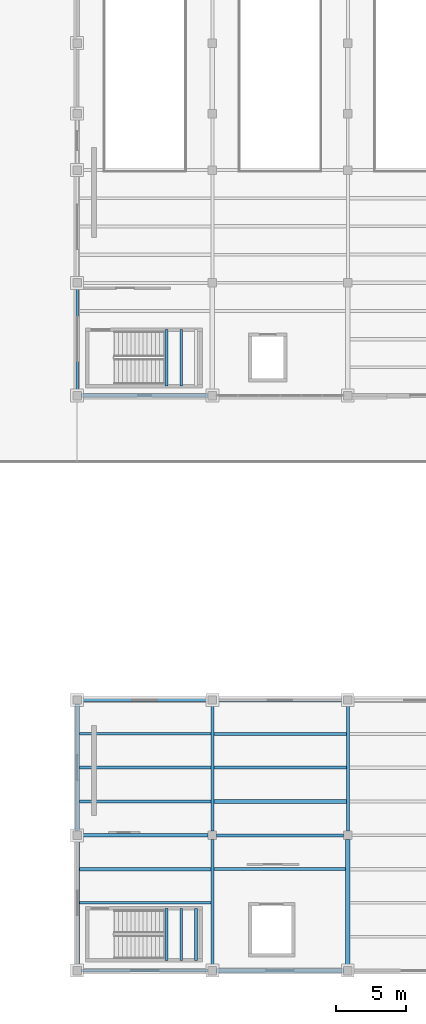
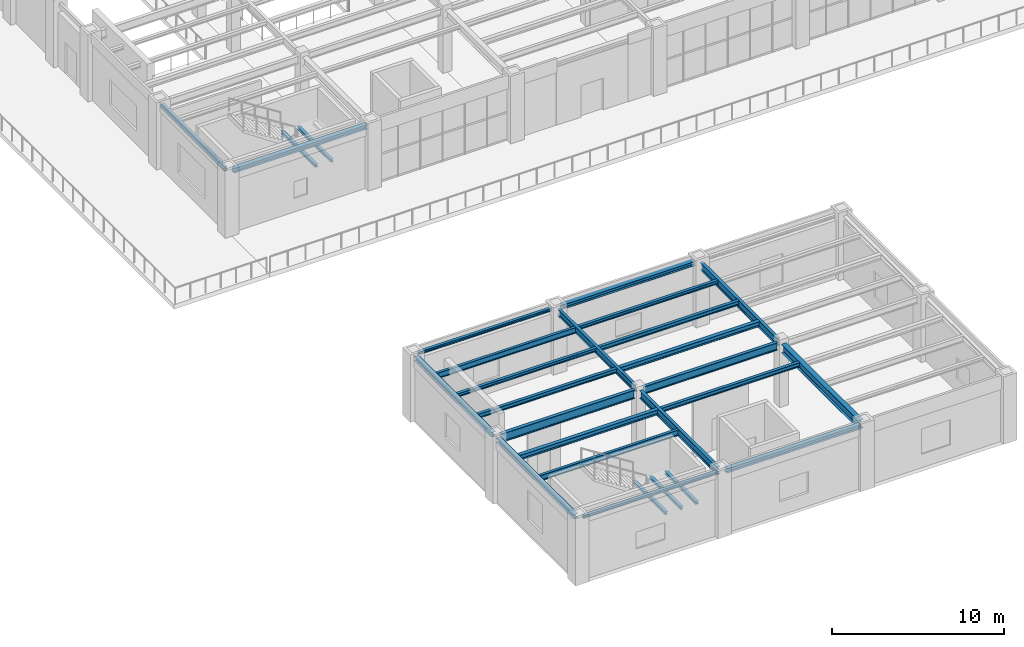
# One storey, part 15 of 83: 28 beams.
"""IFC4 building model written with IfcOpenShell, lengths in metres."""

from ifc_helpers import new_model, si_unit, direction, frame, origin, origin_2d, place, context, subcontext, project, spatial, hollow_rectangle, i_section, extrude, material, material_profile, profile_set, type_object, element, save


model = new_model("IFC4")

# Units and contexts
model_context = context("Model", 3, precision=1e-05, world=origin(), true_north=direction((0.0, 1.0)))
body_context = subcontext(model_context, "Body", "Model", "MODEL_VIEW")
ifc_project = project(units=[si_unit("LENGTHUNIT", "METRE"), si_unit("AREAUNIT", "SQUARE_METRE"), si_unit("VOLUMEUNIT", "CUBIC_METRE"), si_unit("PLANEANGLEUNIT", "RADIAN"), si_unit("MASSUNIT", "GRAM", prefix="KILO")], contexts=[model_context])

# Site, building, storey
site_placement = place(None, origin())
site = spatial("IfcSite", under=ifc_project, at=site_placement, CompositionType="ELEMENT")
building_placement = place(site_placement, origin())
building = spatial("IfcBuilding", under=site, at=building_placement, Name="Mavantir Sound Aquarium", CompositionType="ELEMENT")
storey_placement = place(building_placement, frame((0.0, 0.0, 10.5)))
storey = spatial("IfcBuildingStorey", under=building, at=storey_placement, Name="L02", CompositionType="ELEMENT", Elevation=10.5)

# Beams
ifc_material_1 = material(Name="Hollow Structural Steel ASTM A500 GrC", Category="steel")
ifc_material_profile_1 = material_profile(ifc_material_1, hollow_rectangle(XDim=0.199951171875, YDim=0.300048828125, WallThickness=0.012451171875, InnerFilletRadius=0.012451171875, OuterFilletRadius=0.02490234375, at=origin_2d()), Name="RHS 300X200X12.5")
ifc_profile_set_1 = profile_set([ifc_material_profile_1], Name="Hollow Structural Steel ASTM A500 GrC")
beam_type_1 = type_object("IfcBeamType", Name="BM-RHS300-E", PredefinedType="SPANDREL", material=ifc_profile_set_1)
beam_1_placement = place(storey_placement, frame((108.0, 41.10009765625, 4.3359375), z_axis=(0.0, 1.0, 0.0), x_axis=(-1.0, 0.0, 0.0)))
element("IfcBeam", 1, at=beam_1_placement, inside=storey, type_object=beam_type_1, Name="L02 primary girder SS-R30 1552", PredefinedType="SPANDREL", context=body_context, shape_type="SweptSolid", body=[
    extrude(hollow_rectangle(XDim=0.199951171875, YDim=0.300048828125, WallThickness=0.012451171875, InnerFilletRadius=0.012451171875, OuterFilletRadius=0.02490234375, at=origin_2d()), origin(), (0.0, 0.0, 1.0), 7.39990234375),
])
ifc_material_2 = material(Name="Structural Steel ASTM A992 Gr50", Category="steel")
ifc_material_profile_2 = material_profile(ifc_material_2, i_section(OverallWidth=0.202880859375, OverallDepth=0.202880859375, WebThickness=0.007080078125, FlangeThickness=0.010986328125, FilletRadius=0.010009765625, at=origin_2d()), Name="W200X46")
ifc_profile_set_2 = profile_set([ifc_material_profile_2], Name="Structural Steel ASTM A992 Gr50")
beam_type_2 = type_object("IfcBeamType", Name="BM-W200X46-E", PredefinedType="LINTEL", material=ifc_profile_set_2)
for number, where, z_axis, x_axis, name in (
    (2, (108.300048828125, 0.0, 4.41455078125), (1.0, 0.0, 0.0), (0.0, 1.0, 0.0), "L02 primary beam SL-20 1626"),
    (3, (108.300048828125, 19.199951171875, 4.41455078125), (1.0, 0.0, 0.0), (0.0, 1.0, 0.0), "L02 primary beam SL-20 1632"),
):
    element("IfcBeam", number, at=place(storey_placement, frame(where, z_axis=z_axis, x_axis=x_axis)), inside=storey, type_object=beam_type_2, Name=name, PredefinedType="LINTEL", context=body_context, shape_type="SweptSolid", body=[
        extrude(i_section(OverallWidth=0.202880859375, OverallDepth=0.202880859375, WebThickness=0.007080078125, FlangeThickness=0.010986328125, FilletRadius=0.010009765625, at=origin_2d()), origin(), (0.0, 0.0, 1.0), 9.0),
    ])
ifc_material_profile_3 = material_profile(ifc_material_2, i_section(OverallWidth=0.202880859375, OverallDepth=0.202880859375, WebThickness=0.007080078125, FlangeThickness=0.010986328125, FilletRadius=0.010009765625, at=origin_2d()), Name="W200X46")
ifc_profile_set_3 = profile_set([ifc_material_profile_3], Name="Structural Steel ASTM A992 Gr50")
beam_type_3 = type_object("IfcBeamType", Name="BM-W200X46-I", PredefinedType="LINTEL", material=ifc_profile_set_3)
for number, where, z_axis, x_axis, name in (
    (4, (114.35009765625, 41.47509765625, 2.095458984375), (0.0, 1.0, 0.0), (-1.0, 0.0, 0.0), "Stair ST4 landing support beam 64"),
    (5, (115.389892578125, 41.47509765625, 2.095458984375), (0.0, 1.0, 0.0), (-1.0, 0.0, 0.0), "Stair ST4 landing support beam 65"),
):
    element("IfcBeam", number, at=place(storey_placement, frame(where, z_axis=z_axis, x_axis=x_axis)), inside=storey, type_object=beam_type_3, Name=name, PredefinedType="LINTEL", context=body_context, shape_type="SweptSolid", body=[
        extrude(i_section(OverallWidth=0.202880859375, OverallDepth=0.202880859375, WebThickness=0.007080078125, FlangeThickness=0.010986328125, FilletRadius=0.010009765625, at=origin_2d()), origin(), (0.0, 0.0, 1.0), 4.0),
    ])
for number, where, z_axis, x_axis, name in (
    (6, (114.35009765625, 0.72509765625, 2.095458984375), (0.0, 1.0, 0.0), (-1.0, 0.0, 0.0), "Stair ST6 landing support beam 136"),
    (7, (115.389892578125, 0.72509765625, 2.095458984375), (0.0, 1.0, 0.0), (-1.0, 0.0, 0.0), "Stair ST6 landing support beam 137"),
    (8, (116.429931640625, 0.72509765625, 2.095458984375), (0.0, 1.0, 0.0), (-1.0, 0.0, 0.0), "Stair ST6 landing support beam 138"),
):
    element("IfcBeam", number, at=place(storey_placement, frame(where, z_axis=z_axis, x_axis=x_axis)), inside=storey, type_object=beam_type_3, Name=name, PredefinedType="LINTEL", context=body_context, shape_type="SweptSolid", body=[
        extrude(i_section(OverallWidth=0.202880859375, OverallDepth=0.202880859375, WebThickness=0.007080078125, FlangeThickness=0.010986328125, FilletRadius=0.010009765625, at=origin_2d()), origin(), (0.0, 0.0, 1.0), 3.699951171875),
    ])
ifc_material_profile_4 = material_profile(ifc_material_2, i_section(OverallWidth=0.202880859375, OverallDepth=0.251953125, WebThickness=0.008056640625, FlangeThickness=0.013427734375, FilletRadius=0.011962890625, at=origin_2d()), Name="W250X58")
ifc_profile_set_4 = profile_set([ifc_material_profile_4], Name="Structural Steel ASTM A992 Gr50")
beam_type_4 = type_object("IfcBeamType", Name="BM-W250X58-I", PredefinedType="JOIST", material=ifc_profile_set_4)
beam_2_placement = place(storey_placement, frame((108.152587890625, 14.39990234375, 4.389892578125), z_axis=(1.0, 0.0, 0.0), x_axis=(0.0, 1.0, 0.0)))
element("IfcBeam", 9, at=beam_2_placement, inside=storey, type_object=beam_type_4, Name="L02 secondary floor joist SJ-25 976", PredefinedType="JOIST", context=body_context, shape_type="SweptSolid", body=[
    extrude(i_section(OverallWidth=0.202880859375, OverallDepth=0.251953125, WebThickness=0.008056640625, FlangeThickness=0.013427734375, FilletRadius=0.011962890625, at=origin_2d()), origin(), (0.0, 0.0, 1.0), 9.350341796875),
])
beam_3_placement = place(storey_placement, frame((117.697021484375, 16.800048828125, 4.389892578125), z_axis=(1.0, 0.0, 0.0), x_axis=(0.0, 1.0, 0.0)))
element("IfcBeam", 10, at=beam_3_placement, inside=storey, type_object=beam_type_4, Name="L02 secondary floor joist SJ-25 980", PredefinedType="JOIST", context=body_context, shape_type="SweptSolid", body=[
    extrude(i_section(OverallWidth=0.202880859375, OverallDepth=0.251953125, WebThickness=0.008056640625, FlangeThickness=0.013427734375, FilletRadius=0.011962890625, at=origin_2d()), origin(), (0.0, 0.0, 1.0), 9.39697265625),
])
ifc_material_profile_5 = material_profile(ifc_material_2, i_section(OverallWidth=0.205078125, OverallDepth=0.31005859375, WebThickness=0.009521484375, FlangeThickness=0.016357421875, FilletRadius=0.012939453125, at=origin_2d()), Name="W310X74")
ifc_profile_set_5 = profile_set([ifc_material_profile_5], Name="Structural Steel ASTM A992 Gr50")
beam_type_5 = type_object("IfcBeamType", Name="BM-W310X74-I", PredefinedType="JOIST", material=ifc_profile_set_5)
beam_4_placement = place(storey_placement, frame((117.7060546875, 7.199951171875, 4.361083984375), z_axis=(1.0, 0.0, 0.0), x_axis=(0.0, 1.0, 0.0)))
element("IfcBeam", 11, at=beam_4_placement, inside=storey, type_object=beam_type_5, Name="L02 secondary floor joist SJ-31 971", PredefinedType="JOIST", context=body_context, shape_type="SweptSolid", body=[
    extrude(i_section(OverallWidth=0.205078125, OverallDepth=0.31005859375, WebThickness=0.009521484375, FlangeThickness=0.016357421875, FilletRadius=0.012939453125, at=origin_2d()), origin(), (0.0, 0.0, 1.0), 9.33203125),
])
beam_5_placement = place(storey_placement, frame((108.152587890625, 12.0, 4.361083984375), z_axis=(1.0, 0.0, 0.0), x_axis=(0.0, 1.0, 0.0)))
element("IfcBeam", 12, at=beam_5_placement, inside=storey, type_object=beam_type_5, Name="L02 secondary floor joist SJ-31 975", PredefinedType="JOIST", context=body_context, shape_type="SweptSolid", body=[
    extrude(i_section(OverallWidth=0.205078125, OverallDepth=0.31005859375, WebThickness=0.009521484375, FlangeThickness=0.016357421875, FilletRadius=0.012939453125, at=origin_2d()), origin(), (0.0, 0.0, 1.0), 9.350341796875),
])
beam_6_placement = place(storey_placement, frame((117.697021484375, 14.39990234375, 4.361083984375), z_axis=(1.0, 0.0, 0.0), x_axis=(0.0, 1.0, 0.0)))
element("IfcBeam", 13, at=beam_6_placement, inside=storey, type_object=beam_type_5, Name="L02 secondary floor joist SJ-31 979", PredefinedType="JOIST", context=body_context, shape_type="SweptSolid", body=[
    extrude(i_section(OverallWidth=0.205078125, OverallDepth=0.31005859375, WebThickness=0.009521484375, FlangeThickness=0.016357421875, FilletRadius=0.012939453125, at=origin_2d()), origin(), (0.0, 0.0, 1.0), 9.39697265625),
])
ifc_material_profile_6 = material_profile(ifc_material_2, i_section(OverallWidth=0.304931640625, OverallDepth=0.30810546875, WebThickness=0.010009765625, FlangeThickness=0.015380859375, FilletRadius=0.014892578125, at=origin_2d()), Name="W310X97")
ifc_profile_set_6 = profile_set([ifc_material_profile_6], Name="Structural Steel ASTM A992 Gr50")
beam_type_6 = type_object("IfcBeamType", Name="BM-W310X97-E", PredefinedType="SPANDREL", material=ifc_profile_set_6)
for number, where, z_axis, x_axis, name in (
    (14, (108.300048828125, 40.800048828125, 4.33203125), (1.0, 0.0, 0.0), (0.0, 1.0, 0.0), "L02 primary beam SS-31A 1515"),
    (15, (117.89990234375, 0.0, 4.362060546875), (1.0, 0.0, 0.0), (0.0, 1.0, 0.0), "L02 primary beam SS-31A 1627"),
    (16, (117.89990234375, 19.199951171875, 4.362060546875), (1.0, 0.0, 0.0), (0.0, 1.0, 0.0), "L02 primary beam SS-31A 1633"),
    (17, (108.0, 0.300048828125, 4.362060546875), (0.0, 1.0, 0.0), (-1.0, 0.0, 0.0), "L02 primary girder SS-31A 1635"),
    (18, (108.0, 9.89990234375, 4.362060546875), (0.0, 1.0, 0.0), (-1.0, 0.0, 0.0), "L02 primary girder SS-31A 1636"),
):
    element("IfcBeam", number, at=place(storey_placement, frame(where, z_axis=z_axis, x_axis=x_axis)), inside=storey, type_object=beam_type_6, Name=name, PredefinedType="SPANDREL", context=body_context, shape_type="SweptSolid", body=[
        extrude(i_section(OverallWidth=0.304931640625, OverallDepth=0.30810546875, WebThickness=0.010009765625, FlangeThickness=0.015380859375, FilletRadius=0.014892578125, at=origin_2d()), origin(), (0.0, 0.0, 1.0), 9.0),
    ])
ifc_material_profile_7 = material_profile(ifc_material_2, i_section(OverallWidth=0.25390625, OverallDepth=0.35302734375, WebThickness=0.009521484375, FlangeThickness=0.016357421875, FilletRadius=0.014892578125, at=origin_2d()), Name="W360X91")
ifc_profile_set_7 = profile_set([ifc_material_profile_7], Name="Structural Steel ASTM A992 Gr50")
beam_type_7 = type_object("IfcBeamType", Name="BM-W360X91-I", PredefinedType="JOIST", material=ifc_profile_set_7)
beam_7_placement = place(storey_placement, frame((108.152587890625, 7.199951171875, 4.339599609375), z_axis=(1.0, 0.0, 0.0), x_axis=(0.0, 1.0, 0.0)))
element("IfcBeam", 19, at=beam_7_placement, inside=storey, type_object=beam_type_7, Name="L02 secondary floor joist SJ-36 970", PredefinedType="JOIST", context=body_context, shape_type="SweptSolid", body=[
    extrude(i_section(OverallWidth=0.25390625, OverallDepth=0.35302734375, WebThickness=0.009521484375, FlangeThickness=0.016357421875, FilletRadius=0.014892578125, at=origin_2d()), origin(), (0.0, 0.0, 1.0), 9.34130859375),
])
beam_8_placement = place(storey_placement, frame((117.697021484375, 12.0, 4.339599609375), z_axis=(1.0, 0.0, 0.0), x_axis=(0.0, 1.0, 0.0)))
element("IfcBeam", 20, at=beam_8_placement, inside=storey, type_object=beam_type_7, Name="L02 secondary floor joist SJ-36 978", PredefinedType="JOIST", context=body_context, shape_type="SweptSolid", body=[
    extrude(i_section(OverallWidth=0.25390625, OverallDepth=0.35302734375, WebThickness=0.009521484375, FlangeThickness=0.016357421875, FilletRadius=0.014892578125, at=origin_2d()), origin(), (0.0, 0.0, 1.0), 9.39697265625),
])
ifc_material_profile_8 = material_profile(ifc_material_2, i_section(OverallWidth=0.180908203125, OverallDepth=0.4169921875, WebThickness=0.010986328125, FlangeThickness=0.018310546875, FilletRadius=0.014892578125, at=origin_2d()), Name="W410X85")
ifc_profile_set_8 = profile_set([ifc_material_profile_8], Name="Structural Steel ASTM A992 Gr50")
beam_type_8 = type_object("IfcBeamType", Name="BM-W410X85-I", PredefinedType="JOIST", material=ifc_profile_set_8)
beam_9_placement = place(storey_placement, frame((108.152587890625, 4.800048828125, 4.3076171875), z_axis=(1.0, 0.0, 0.0), x_axis=(0.0, 1.0, 0.0)))
element("IfcBeam", 21, at=beam_9_placement, inside=storey, type_object=beam_type_8, Name="L02 secondary floor joist SJ-41 969", PredefinedType="JOIST", context=body_context, shape_type="SweptSolid", body=[
    extrude(i_section(OverallWidth=0.180908203125, OverallDepth=0.4169921875, WebThickness=0.010986328125, FlangeThickness=0.018310546875, FilletRadius=0.014892578125, at=origin_2d()), origin(), (0.0, 0.0, 1.0), 9.34130859375),
])
beam_10_placement = place(storey_placement, frame((108.152587890625, 16.800048828125, 4.3076171875), z_axis=(1.0, 0.0, 0.0), x_axis=(0.0, 1.0, 0.0)))
element("IfcBeam", 22, at=beam_10_placement, inside=storey, type_object=beam_type_8, Name="L02 secondary floor joist SJ-41 977", PredefinedType="JOIST", context=body_context, shape_type="SweptSolid", body=[
    extrude(i_section(OverallWidth=0.180908203125, OverallDepth=0.4169921875, WebThickness=0.010986328125, FlangeThickness=0.018310546875, FilletRadius=0.014892578125, at=origin_2d()), origin(), (0.0, 0.0, 1.0), 9.350341796875),
])
ifc_material_profile_9 = material_profile(ifc_material_2, i_section(OverallWidth=0.194091796875, OverallDepth=0.468994140625, WebThickness=0.0126953125, FlangeThickness=0.0205078125, FilletRadius=0.01611328125, at=origin_2d()), Name="W460X106")
ifc_profile_set_9 = profile_set([ifc_material_profile_9], Name="Structural Steel ASTM A992 Gr50")
beam_type_9 = type_object("IfcBeamType", Name="BM-W460X106-I", PredefinedType="BEAM", material=ifc_profile_set_9)
beam_11_placement = place(storey_placement, frame((117.60009765625, 9.89990234375, 4.281494140625), z_axis=(0.0, 1.0, 0.0), x_axis=(-1.0, 0.0, 0.0)))
element("IfcBeam", 23, at=beam_11_placement, inside=storey, type_object=beam_type_9, Name="L02 primary girder SB-46 1638", PredefinedType="BEAM", context=body_context, shape_type="SweptSolid", body=[
    extrude(i_section(OverallWidth=0.194091796875, OverallDepth=0.468994140625, WebThickness=0.0126953125, FlangeThickness=0.0205078125, FilletRadius=0.01611328125, at=origin_2d()), origin(), (0.0, 0.0, 1.0), 9.0),
])
ifc_material_profile_10 = material_profile(ifc_material_2, i_section(OverallWidth=0.2119140625, OverallDepth=0.5439453125, WebThickness=0.01318359375, FlangeThickness=0.021240234375, FilletRadius=0.01806640625, at=origin_2d()), Name="W530X123")
ifc_profile_set_10 = profile_set([ifc_material_profile_10], Name="Structural Steel ASTM A992 Gr50")
beam_type_10 = type_object("IfcBeamType", Name="BM-W530X123-I", PredefinedType="BEAM", material=ifc_profile_set_10)
for number, where, z_axis, x_axis, name in (
    (24, (117.89990234375, 9.60009765625, 4.243896484375), (1.0, 0.0, 0.0), (0.0, 1.0, 0.0), "L02 primary beam SB-53 1630"),
    (25, (117.60009765625, 0.300048828125, 4.243896484375), (0.0, 1.0, 0.0), (-1.0, 0.0, 0.0), "L02 primary girder SB-53 1637"),
    (26, (127.199951171875, 9.89990234375, 4.2041015625), (0.0, 1.0, 0.0), (-1.0, 0.0, 0.0), "L02 primary girder SB-53 1640"),
):
    element("IfcBeam", number, at=place(storey_placement, frame(where, z_axis=z_axis, x_axis=x_axis)), inside=storey, type_object=beam_type_10, Name=name, PredefinedType="BEAM", context=body_context, shape_type="SweptSolid", body=[
        extrude(i_section(OverallWidth=0.2119140625, OverallDepth=0.5439453125, WebThickness=0.01318359375, FlangeThickness=0.021240234375, FilletRadius=0.01806640625, at=origin_2d()), origin(), (0.0, 0.0, 1.0), 9.0),
    ])
ifc_material_profile_11 = material_profile(ifc_material_2, i_section(OverallWidth=0.22900390625, OverallDepth=0.612060546875, WebThickness=0.011962890625, FlangeThickness=0.01953125, FilletRadius=0.01904296875, at=origin_2d()), Name="W610X125")
ifc_profile_set_11 = profile_set([ifc_material_profile_11], Name="Structural Steel ASTM A992 Gr50")
beam_type_11 = type_object("IfcBeamType", Name="BM-W610X125-I", PredefinedType="BEAM", material=ifc_profile_set_11)
beam_12_placement = place(storey_placement, frame((108.300048828125, 9.60009765625, 4.2099609375), z_axis=(1.0, 0.0, 0.0), x_axis=(0.0, 1.0, 0.0)))
element("IfcBeam", 27, at=beam_12_placement, inside=storey, type_object=beam_type_11, Name="L02 primary beam SB-61B 1629", PredefinedType="BEAM", context=body_context, shape_type="SweptSolid", body=[
    extrude(i_section(OverallWidth=0.22900390625, OverallDepth=0.612060546875, WebThickness=0.011962890625, FlangeThickness=0.01953125, FilletRadius=0.01904296875, at=origin_2d()), origin(), (0.0, 0.0, 1.0), 9.0),
])
ifc_material_profile_12 = material_profile(ifc_material_2, i_section(OverallWidth=0.323974609375, OverallDepth=0.611083984375, WebThickness=0.0126953125, FlangeThickness=0.01904296875, FilletRadius=0.01904296875, at=origin_2d()), Name="W610X155")
ifc_profile_set_12 = profile_set([ifc_material_profile_12], Name="Structural Steel ASTM A992 Gr50")
beam_type_12 = type_object("IfcBeamType", Name="BM-W610X155-I", PredefinedType="BEAM", material=ifc_profile_set_12)
beam_13_placement = place(storey_placement, frame((127.199951171875, 0.300048828125, 4.17041015625), z_axis=(0.0, 1.0, 0.0), x_axis=(-1.0, 0.0, 0.0)))
element("IfcBeam", 28, at=beam_13_placement, inside=storey, type_object=beam_type_12, Name="L02 primary girder SB-61A 1639", PredefinedType="BEAM", context=body_context, shape_type="SweptSolid", body=[
    extrude(i_section(OverallWidth=0.323974609375, OverallDepth=0.611083984375, WebThickness=0.0126953125, FlangeThickness=0.01904296875, FilletRadius=0.01904296875, at=origin_2d()), origin(), (0.0, 0.0, 1.0), 9.0),
])

save(model, "model.ifc")
